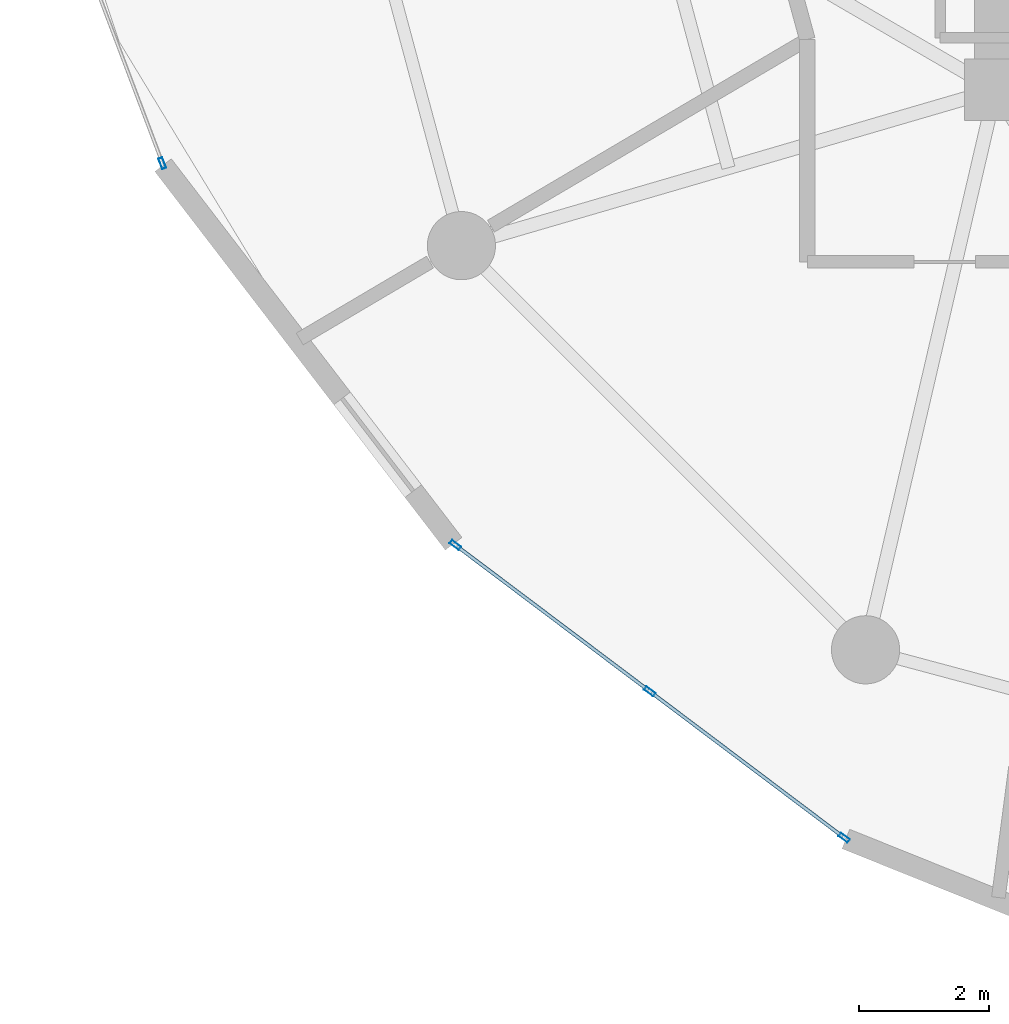
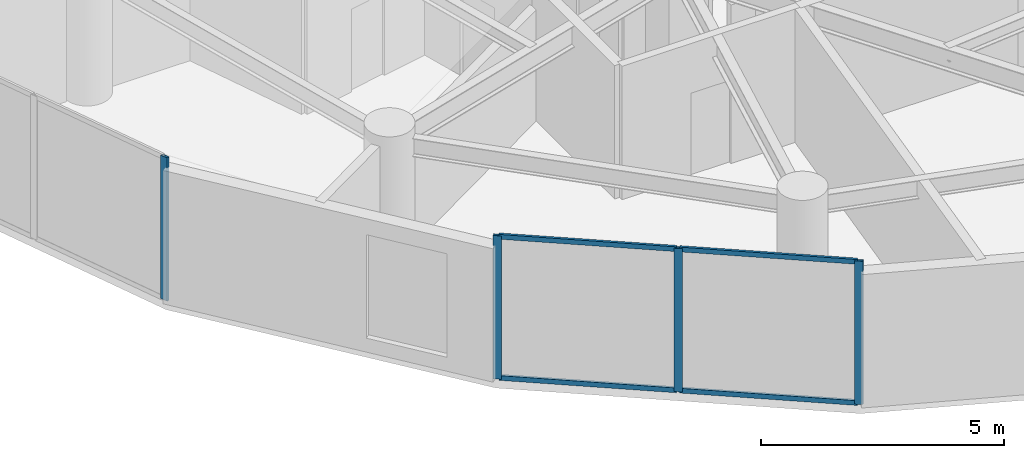
# One storey, part 2 of 23: 8 members, 2 elements without a shape of their own.
"""IFC4 building model written with IfcOpenShell, lengths in metres."""

from ifc_helpers import new_model, si_unit, direction, frame, origin, origin_2d, place, context, subcontext, project, spatial, hollow_rectangle, extrude, source, transform, mapped, material, layer, layer_set, material_profile, profile_set, type_object, element, aggregate, save


model = new_model("IFC4")

# Units and contexts
model_context = context("Model", 3, precision=1e-05, world=origin(), true_north=direction((0.0, 1.0)))
body_context = subcontext(model_context, "Body", "Model", "MODEL_VIEW")
ifc_project = project(units=[si_unit("LENGTHUNIT", "METRE"), si_unit("AREAUNIT", "SQUARE_METRE"), si_unit("VOLUMEUNIT", "CUBIC_METRE"), si_unit("PLANEANGLEUNIT", "RADIAN"), si_unit("MASSUNIT", "GRAM", prefix="KILO")], contexts=[model_context])

# Site, building, storey
site_placement = place(None, origin())
site = spatial("IfcSite", under=ifc_project, at=site_placement, CompositionType="ELEMENT")
building_placement = place(site_placement, origin())
building = spatial("IfcBuilding", under=site, at=building_placement, Name="Solvirekh Grand Hotel", CompositionType="ELEMENT")
storey_placement = place(building_placement, frame((0.0, 0.0, 109.800048828125)))
storey = spatial("IfcBuildingStorey", under=building, at=storey_placement, Name="L27", CompositionType="ELEMENT", Elevation=109.800048828125)

# Curtain wall, member
ifc_material = material(Name="Anodized Bronze Aluminium 6063-T6", Category="aluminium")
ifc_layer = layer(ifc_material, 0.175048828125)
ifc_layer_set = layer_set([ifc_layer], Name="Anodized Bronze Aluminium 6063-T6")
curtain_wall_type = type_object("IfcCurtainWallType", Name="CW_Sys3_MidZoneFlushBronzeCW", PredefinedType="NOTDEFINED", material=ifc_layer_set)
curtain_wall_1_placement = place(storey_placement, origin())
curtain_wall_1 = element("IfcCurtainWall", 1, at=curtain_wall_1_placement, inside=storey, type_object=curtain_wall_type, Name="L27 unitised bronze-glass curtain wall CW-L27-C13", PredefinedType="NOTDEFINED")
ifc_material_profile_1 = material_profile(ifc_material, hollow_rectangle(XDim=0.06494140625, YDim=0.175048828125, WallThickness=0.0048828125, at=origin_2d()), Name="ALU RHS 175X65X5")
ifc_profile_set_1 = profile_set([ifc_material_profile_1], Name="Anodized Bronze Aluminium 6063-T6")
member_type_1 = type_object("IfcMemberType", Name="CWMullion_Sys3", PredefinedType="MULLION", material=ifc_profile_set_1)
shared_shape_1 = source(origin(), body_context, "Body", "SweptSolid", [
    extrude(hollow_rectangle(XDim=0.06494140625, YDim=0.175048828125, WallThickness=0.0048828125, at=origin_2d()), origin(), (0.0, 0.0, 1.0), 3.599853515625),
])
member_1_placement = place(storey_placement, frame((-19.326416015625, -7.230712890625, 0.0), z_axis=(0.0, 0.0, 1.0), x_axis=(0.935420579411, 0.353536899934, 0.0)))
member_1 = element("IfcMember", 2, at=member_1_placement, type_object=member_type_1, Name="U03 mullion 3", PredefinedType="MULLION", context=body_context, shape_type="MappedRepresentation", body=[
    mapped(shared_shape_1, transform((0.0, 0.0, 0.0), x_axis=(1.0, 0.0, 0.0), y_axis=(0.0, 1.0, 0.0), z_axis=(0.0, 0.0, 1.0), scale=1.0)),
])
aggregate(curtain_wall_1, [member_1])

# Curtain wall, members
curtain_wall_2_placement = place(storey_placement, origin())
curtain_wall_2 = element("IfcCurtainWall", 3, at=curtain_wall_2_placement, inside=storey, type_object=curtain_wall_type, Name="L27 unitised bronze-glass curtain wall CW-L27-C15", PredefinedType="NOTDEFINED")
member_2_placement = place(storey_placement, frame((-14.81591796875, -13.108642578125, 0.0), z_axis=(0.0, 0.0, 1.0), x_axis=(0.601417269489, 0.798935083696, 0.0)))
member_2 = element("IfcMember", 4, at=member_2_placement, type_object=member_type_1, Name="U03 mullion 1", PredefinedType="MULLION", context=body_context, shape_type="MappedRepresentation", body=[
    mapped(shared_shape_1, transform((0.0, 0.0, 0.0), x_axis=(1.0, 0.0, 0.0), y_axis=(0.0, 1.0, 0.0), z_axis=(0.0, 0.0, 1.0), scale=1.0)),
])
member_3_placement = place(storey_placement, frame((-11.822509765625, -15.362060546875, 0.0), z_axis=(0.0, 0.0, 1.0), x_axis=(0.601417269489, 0.798935083696, 0.0)))
member_3 = element("IfcMember", 5, at=member_3_placement, type_object=member_type_1, Name="U03 mullion 2", PredefinedType="MULLION", context=body_context, shape_type="MappedRepresentation", body=[
    mapped(shared_shape_1, transform((0.0, 0.0, 0.0), x_axis=(1.0, 0.0, 0.0), y_axis=(0.0, 1.0, 0.0), z_axis=(0.0, 0.0, 1.0), scale=1.0)),
])
member_4_placement = place(storey_placement, frame((-8.828857421875, -17.615478515625, 0.0), z_axis=(0.0, 0.0, 1.0), x_axis=(0.601417269489, 0.798935083696, 0.0)))
member_4 = element("IfcMember", 6, at=member_4_placement, type_object=member_type_1, Name="U03 mullion 3", PredefinedType="MULLION", context=body_context, shape_type="MappedRepresentation", body=[
    mapped(shared_shape_1, transform((0.0, 0.0, 0.0), x_axis=(1.0, 0.0, 0.0), y_axis=(0.0, 1.0, 0.0), z_axis=(0.0, 0.0, 1.0), scale=1.0)),
])
ifc_material_profile_2 = material_profile(ifc_material, hollow_rectangle(XDim=0.054931640625, YDim=0.1201171875, WallThickness=0.00390625, at=origin_2d()), Name="ALU RHS 120X55X4")
ifc_profile_set_2 = profile_set([ifc_material_profile_2], Name="Anodized Bronze Aluminium 6063-T6")
member_type_2 = type_object("IfcMemberType", Name="CWTransom_Sys3", PredefinedType="USERDEFINED", material=ifc_profile_set_2)
shared_shape_2 = source(origin(), body_context, "Body", "SweptSolid", [
    extrude(hollow_rectangle(XDim=0.054931640625, YDim=0.1201171875, WallThickness=0.00390625, at=origin_2d()), origin(), (0.0, 0.0, 1.0), 3.681884765625),
])
member_5_placement = place(storey_placement, frame((-14.7900390625, -13.128173828125, 0.02734375), z_axis=(0.798940486048, -0.601410092826, 0.0), x_axis=(0.601410092826, 0.798940486048, 0.0)))
member_5 = element("IfcMember", 7, at=member_5_placement, type_object=member_type_2, Name="U03 transom 1.1", ObjectType="TRANSOM", PredefinedType="USERDEFINED", context=body_context, shape_type="MappedRepresentation", body=[
    mapped(shared_shape_2, transform((0.0, 0.0, 0.0), x_axis=(1.0, 0.0, 0.0), y_axis=(0.0, 1.0, 0.0), z_axis=(0.0, 0.0, 1.0), scale=1.0)),
])
member_6_placement = place(storey_placement, frame((-14.7900390625, -13.128173828125, 3.572509765625), z_axis=(0.798940486048, -0.601410092826, 0.0), x_axis=(0.601410092826, 0.798940486048, 0.0)))
member_6 = element("IfcMember", 8, at=member_6_placement, type_object=member_type_2, Name="U03 transom 1.2", ObjectType="TRANSOM", PredefinedType="USERDEFINED", context=body_context, shape_type="MappedRepresentation", body=[
    mapped(shared_shape_2, transform((0.0, 0.0, 0.0), x_axis=(1.0, 0.0, 0.0), y_axis=(0.0, 1.0, 0.0), z_axis=(0.0, 0.0, 1.0), scale=1.0)),
])
member_7_placement = place(storey_placement, frame((-11.796630859375, -15.381591796875, 0.02734375), z_axis=(0.798940486048, -0.601410092826, 0.0), x_axis=(0.601410092826, 0.798940486048, 0.0)))
member_7 = element("IfcMember", 9, at=member_7_placement, type_object=member_type_2, Name="U03 transom 2.1", ObjectType="TRANSOM", PredefinedType="USERDEFINED", context=body_context, shape_type="MappedRepresentation", body=[
    mapped(shared_shape_2, transform((0.0, 0.0, 0.0), x_axis=(1.0, 0.0, 0.0), y_axis=(0.0, 1.0, 0.0), z_axis=(0.0, 0.0, 1.0), scale=1.0)),
])
member_8_placement = place(storey_placement, frame((-11.796630859375, -15.381591796875, 3.572509765625), z_axis=(0.798940486048, -0.601410092826, 0.0), x_axis=(0.601410092826, 0.798940486048, 0.0)))
member_8 = element("IfcMember", 10, at=member_8_placement, type_object=member_type_2, Name="U03 transom 2.2", ObjectType="TRANSOM", PredefinedType="USERDEFINED", context=body_context, shape_type="MappedRepresentation", body=[
    mapped(shared_shape_2, transform((0.0, 0.0, 0.0), x_axis=(1.0, 0.0, 0.0), y_axis=(0.0, 1.0, 0.0), z_axis=(0.0, 0.0, 1.0), scale=1.0)),
])
aggregate(curtain_wall_2, [member_2, member_3, member_4, member_5, member_6, member_7, member_8])

save(model, "model.ifc")
